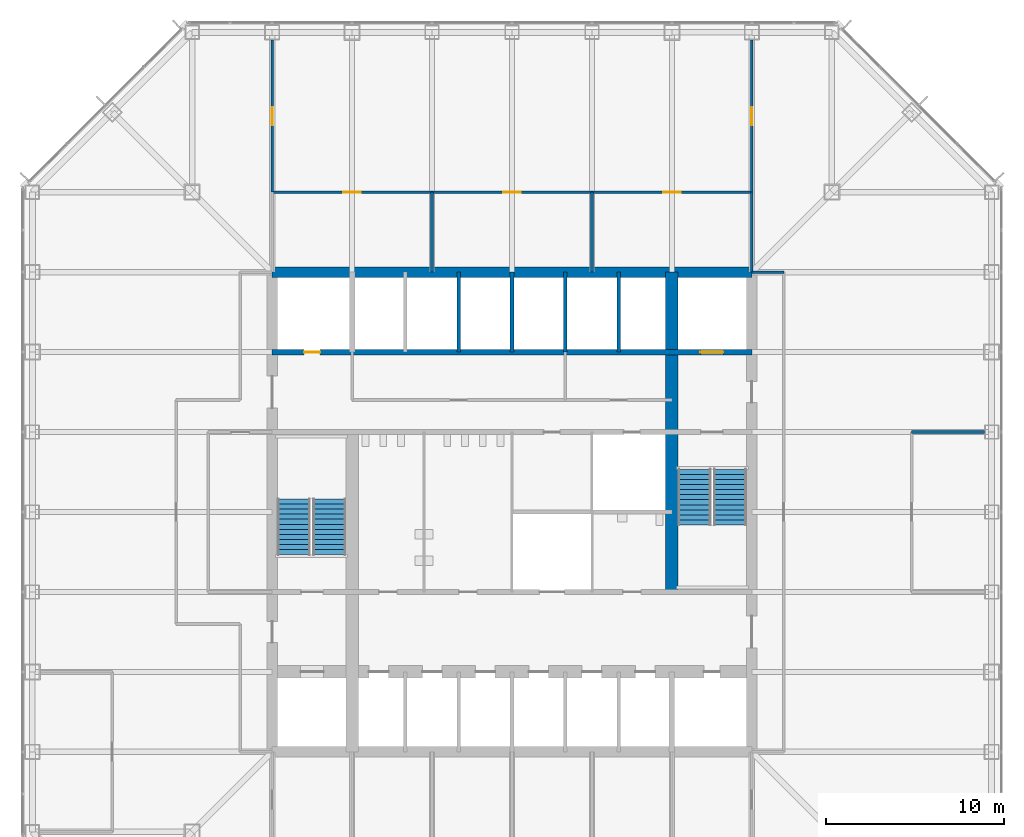
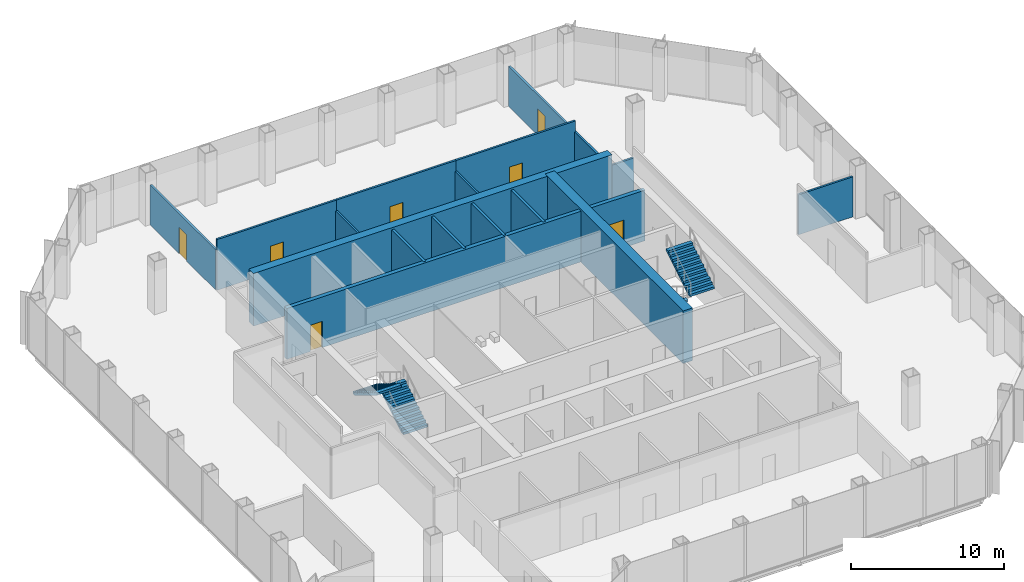
# One storey, part 10 of 12: 17 walls, 7 doors, 4 stair flights, 7 openings, 2 elements without a shape of their own.
"""IFC4 building model written with IfcOpenShell, lengths in metres."""

from ifc_helpers import new_model, si_unit, direction, frame, frame_2d, origin, place, context, subcontext, project, spatial, polyline, rectangle, outline, extrude, material, layer, layer_set, type_object, element, fill, aggregate, save


model = new_model("IFC4")

# Units and contexts
model_context = context("Model", 3, precision=1e-05, world=origin(), true_north=direction((0.0, 1.0)))
body_context = subcontext(model_context, "Body", "Model", "MODEL_VIEW")
ifc_project = project(units=[si_unit("LENGTHUNIT", "METRE"), si_unit("AREAUNIT", "SQUARE_METRE"), si_unit("VOLUMEUNIT", "CUBIC_METRE"), si_unit("PLANEANGLEUNIT", "RADIAN"), si_unit("MASSUNIT", "GRAM", prefix="KILO")], contexts=[model_context])

# Site, building, storey
site_placement = place(None, origin())
site = spatial("IfcSite", under=ifc_project, at=site_placement, CompositionType="ELEMENT")
building_placement = place(site_placement, origin())
building = spatial("IfcBuilding", under=site, at=building_placement, Name="Corais Broadcast Tower", CompositionType="ELEMENT")
storey_placement = place(building_placement, frame((0.0, 0.0, 54.199951171875)))
storey = spatial("IfcBuildingStorey", under=building, at=storey_placement, Name="L11", CompositionType="ELEMENT", Elevation=54.199951171875)

# Walls
ifc_material_1 = material(Name="Concrete C50/60", Category="concrete")
ifc_layer_1 = layer(ifc_material_1, 0.699951171875)
ifc_layer_set_1 = layer_set([ifc_layer_1], Name="Concrete C50/60")
wall_type_1 = type_object("IfcWallType", Name="Core spine wall 700", PredefinedType="SHEAR", material=ifc_layer_set_1)
wall_1_placement = place(storey_placement, frame((36.0, 22.5, 0.0), z_axis=(0.0, 0.0, 1.0), x_axis=(0.0, 1.0, 0.0)))
element("IfcWall", 1, at=wall_1_placement, inside=storey, type_object=wall_type_1, Name="CR700 core wall X36B L11", PredefinedType="SHEAR", context=body_context, shape_type="SweptSolid", body=[
    extrude(rectangle(XDim=18.0, YDim=0.699951171875, at=frame_2d((9.0, 0.0))), origin(), (0.0, 0.0, 1.0), 4.199951171875),
])
ifc_material_2 = material(Name="Concrete C50/60", Category="concrete")
ifc_layer_2 = layer(ifc_material_2, 0.60009765625)
ifc_layer_set_2 = layer_set([ifc_layer_2], Name="Concrete C50/60")
wall_type_2 = type_object("IfcWallType", Name="Core wall 600", PredefinedType="SHEAR", material=ifc_layer_set_2)
wall_2_placement = place(storey_placement, frame((40.5, 40.5, 0.0), z_axis=(0.0, 0.0, 1.0), x_axis=(-1.0, 0.0, 0.0)))
element("IfcWall", 2, at=wall_2_placement, inside=storey, type_object=wall_type_2, Name="CR600 core wall N L11", PredefinedType="SHEAR", context=body_context, shape_type="SweptSolid", body=[
    extrude(rectangle(XDim=27.0, YDim=0.60009765625, at=frame_2d((13.5, 0.0))), origin(), (0.0, 0.0, 1.0), 4.199951171875),
])

# Wall, openings, doors
ifc_material_3 = material(Name="Concrete blockwork class A, grouted, four-hour", Category="masonry")
ifc_layer_3 = layer(ifc_material_3, 0.300048828125)
ifc_layer_set_3 = layer_set([ifc_layer_3], Name="Concrete blockwork class A, grouted, four-hour")
wall_type_3 = type_object("IfcWallType", Name="Emergency lift shaft wall 300", PredefinedType="SOLIDWALL", material=ifc_layer_set_3)
wall_3_placement = place(storey_placement, frame((13.5, 36.0, 0.0), z_axis=(0.0, 0.0, 1.0), x_axis=(1.0, 0.0, 0.0)))
wall_3 = element("IfcWall", 3, at=wall_3_placement, inside=storey, type_object=wall_type_3, Name="LS1 core lobby wall Y36 L11", PredefinedType="SOLIDWALL", context=body_context, shape_type="SweptSolid", body=[
    extrude(rectangle(XDim=27.0, YDim=0.300048828125, at=frame_2d((13.5, 0.0))), origin(), (0.0, 0.0, 1.0), 4.0400390625),
])
opening_1_placement = place(wall_3_placement, frame((1.800048828125, 0.0, 0.0)))
opening_1 = element("IfcOpeningElement", 4, at=opening_1_placement, cuts=wall_3, Name="Opening RD1", PredefinedType="OPENING", context=body_context, shape_type="SweptSolid", body=[
    extrude(rectangle(XDim=0.89990234375, YDim=2.10009765625, at=frame_2d((0.449951171875, 1.050048828125))), frame((0.0, 0.159912109375, 0.0), z_axis=(0.0, -1.0, 0.0), x_axis=(1.0, 0.0, 0.0)), (0.0, 0.0, 1.0), 0.320068359375),
])
opening_2_placement = place(wall_3_placement, frame((24.10009765625, 0.0, 0.0)))
opening_2 = element("IfcOpeningElement", 5, at=opening_2_placement, cuts=wall_3, Name="Opening LD2", PredefinedType="OPENING", context=body_context, shape_type="SweptSolid", body=[
    extrude(rectangle(XDim=1.300048828125, YDim=2.199951171875, at=frame_2d((0.64990234375, 1.10009765625))), frame((0.0, 0.159912109375, 0.0), z_axis=(0.0, -1.0, 0.0), x_axis=(1.0, 0.0, 0.0)), (0.0, 0.0, 1.0), 0.320068359375),
])
ifc_material_4 = material(Name="Stainless steel lift door", Category="steel")
door_type_1 = type_object("IfcDoorType", Name="Lift landing door 1300x2200", OperationType="SLIDING_TO_LEFT", PredefinedType="DOOR", material=ifc_material_4)
door_1_placement = place(opening_2_placement, origin())
door_1 = element("IfcDoor", 6, at=door_1_placement, inside=storey, type_object=door_type_1, Name="LD2 FL2 landing door L11", OperationType="SLIDING_TO_LEFT", OverallHeight=2.199951171875, OverallWidth=1.300048828125, PredefinedType="DOOR", context=body_context, shape_type="SweptSolid", body=[
    extrude(rectangle(XDim=1.300048828125, YDim=2.199951171875, at=frame_2d((0.64990234375, 1.10009765625))), frame((0.0, 0.02490234375, 0.0), z_axis=(0.0, -1.0, 0.0), x_axis=(1.0, 0.0, 0.0)), (0.0, 0.0, 1.0), 0.050048828125),
])
fill(opening_2, door_1)
ifc_material_5 = material(Name="Steel fire door", Category="steel")
door_type_2 = type_object("IfcDoorType", Name="Riser door 900x2100", OperationType="SINGLE_SWING_LEFT", PredefinedType="DOOR", material=ifc_material_5)
door_2_placement = place(opening_1_placement, origin())
door_2 = element("IfcDoor", 7, at=door_2_placement, inside=storey, type_object=door_type_2, Name="RD1 riser door L11", OperationType="SINGLE_SWING_LEFT", OverallHeight=2.10009765625, OverallWidth=0.89990234375, PredefinedType="DOOR", context=body_context, shape_type="SweptSolid", body=[
    extrude(rectangle(XDim=0.89990234375, YDim=2.10009765625, at=frame_2d((0.449951171875, 1.050048828125))), frame((0.0, 0.02490234375, 0.0), z_axis=(0.0, -1.0, 0.0), x_axis=(1.0, 0.0, 0.0)), (0.0, 0.0, 1.0), 0.050048828125),
])
fill(opening_1, door_2)

# Walls
ifc_material_6 = material(Name="Gypsum board on steel studs", Category="steel")
ifc_layer_4 = layer(ifc_material_6, 0.14990234375)
ifc_layer_set_4 = layer_set([ifc_layer_4], Name="Gypsum board on steel studs")
wall_type_4 = type_object("IfcWallType", Name="Partition 150", PredefinedType="PARTITIONING", material=ifc_layer_set_4)
wall_4_placement = place(storey_placement, frame((42.300048828125, 40.5, 0.0), z_axis=(0.0, 0.0, 1.0), x_axis=(-1.0, 0.0, 0.0)))
element("IfcWall", 8, at=wall_4_placement, inside=storey, type_object=wall_type_4, Name="IW3 corridor wall L11", PredefinedType="PARTITIONING", context=body_context, shape_type="SweptSolid", body=[
    extrude(rectangle(XDim=1.800048828125, YDim=0.14990234375, at=frame_2d((0.89990234375, 0.0))), origin(), (0.0, 0.0, 1.0), 3.18896484375),
])
wall_5_placement = place(storey_placement, frame((22.5, 40.5, 0.0), z_axis=(0.0, 0.0, 1.0), x_axis=(0.0, 1.0, 0.0)))
element("IfcWall", 9, at=wall_5_placement, inside=storey, type_object=wall_type_4, Name="IW3 partition L11", PredefinedType="PARTITIONING", context=body_context, shape_type="SweptSolid", body=[
    extrude(rectangle(XDim=4.5, YDim=0.14990234375, at=frame_2d((2.25, 0.0))), origin(), (0.0, 0.0, 1.0), 3.18896484375),
])

# Wall, opening, door
wall_6_placement = place(storey_placement, frame((22.5, 45.0, 0.0), z_axis=(0.0, 0.0, 1.0), x_axis=(-1.0, 0.0, 0.0)))
wall_6 = element("IfcWall", 10, at=wall_6_placement, inside=storey, type_object=wall_type_4, Name="IW3 partition L11", PredefinedType="PARTITIONING", context=body_context, shape_type="SweptSolid", body=[
    extrude(rectangle(XDim=9.0, YDim=0.14990234375, at=frame_2d((4.5, 0.0))), origin(), (0.0, 0.0, 1.0), 4.0400390625),
])
opening_3_placement = place(wall_6_placement, frame((4.0, 0.0, 0.0)))
opening_3 = element("IfcOpeningElement", 11, at=opening_3_placement, cuts=wall_6, Name="Opening D1", PredefinedType="OPENING", context=body_context, shape_type="SweptSolid", body=[
    extrude(rectangle(XDim=1.0, YDim=2.10009765625, at=frame_2d((0.5, 1.050048828125))), frame((0.0, 0.0849609375, 0.0), z_axis=(0.0, -1.0, 0.0), x_axis=(1.0, 0.0, 0.0)), (0.0, 0.0, 1.0), 0.169921875),
])
ifc_material_7 = material(Name="Timber door", Category="wood")
door_type_3 = type_object("IfcDoorType", Name="Single door 1000x2100", OperationType="SINGLE_SWING_LEFT", PredefinedType="DOOR", material=ifc_material_7)
door_3_placement = place(opening_3_placement, origin())
door_3 = element("IfcDoor", 12, at=door_3_placement, inside=storey, type_object=door_type_3, Name="D1 Colour suite door", OperationType="SINGLE_SWING_LEFT", OverallHeight=2.10009765625, OverallWidth=1.0, PredefinedType="DOOR", context=body_context, shape_type="SweptSolid", body=[
    extrude(rectangle(XDim=1.0, YDim=2.10009765625, at=frame_2d((0.5, 1.050048828125))), frame((0.0, 0.02490234375, 0.0), z_axis=(0.0, -1.0, 0.0), x_axis=(1.0, 0.0, 0.0)), (0.0, 0.0, 1.0), 0.050048828125),
])
fill(opening_3, door_3)

# Wall
wall_7_placement = place(storey_placement, frame((31.5, 40.5, 0.0), z_axis=(0.0, 0.0, 1.0), x_axis=(0.0, 1.0, 0.0)))
element("IfcWall", 13, at=wall_7_placement, inside=storey, type_object=wall_type_4, Name="IW3 partition L11", PredefinedType="PARTITIONING", context=body_context, shape_type="SweptSolid", body=[
    extrude(rectangle(XDim=4.5, YDim=0.14990234375, at=frame_2d((2.25, 0.0))), origin(), (0.0, 0.0, 1.0), 3.18896484375),
])

# Wall, opening, door
wall_8_placement = place(storey_placement, frame((31.5, 45.0, 0.0), z_axis=(0.0, 0.0, 1.0), x_axis=(-1.0, 0.0, 0.0)))
wall_8 = element("IfcWall", 14, at=wall_8_placement, inside=storey, type_object=wall_type_4, Name="IW3 partition L11", PredefinedType="PARTITIONING", context=body_context, shape_type="SweptSolid", body=[
    extrude(rectangle(XDim=9.0, YDim=0.14990234375, at=frame_2d((4.5, 0.0))), origin(), (0.0, 0.0, 1.0), 4.0400390625),
])
opening_4_placement = place(wall_8_placement, frame((4.0, 0.0, 0.0)))
opening_4 = element("IfcOpeningElement", 15, at=opening_4_placement, cuts=wall_8, Name="Opening D1", PredefinedType="OPENING", context=body_context, shape_type="SweptSolid", body=[
    extrude(rectangle(XDim=1.0, YDim=2.10009765625, at=frame_2d((0.5, 1.050048828125))), frame((0.0, 0.0849609375, 0.0), z_axis=(0.0, -1.0, 0.0), x_axis=(1.0, 0.0, 0.0)), (0.0, 0.0, 1.0), 0.169921875),
])
door_4_placement = place(opening_4_placement, origin())
door_4 = element("IfcDoor", 16, at=door_4_placement, inside=storey, type_object=door_type_3, Name="D1 Colour suite door", OperationType="SINGLE_SWING_LEFT", OverallHeight=2.10009765625, OverallWidth=1.0, PredefinedType="DOOR", context=body_context, shape_type="SweptSolid", body=[
    extrude(rectangle(XDim=1.0, YDim=2.10009765625, at=frame_2d((0.5, 1.050048828125))), frame((0.0, 0.02490234375, 0.0), z_axis=(0.0, -1.0, 0.0), x_axis=(1.0, 0.0, 0.0)), (0.0, 0.0, 1.0), 0.050048828125),
])
fill(opening_4, door_4)

# Wall
wall_9_placement = place(storey_placement, frame((40.5, 40.5, 0.0), z_axis=(0.0, 0.0, 1.0), x_axis=(0.0, 1.0, 0.0)))
element("IfcWall", 17, at=wall_9_placement, inside=storey, type_object=wall_type_4, Name="IW3 partition L11", PredefinedType="PARTITIONING", context=body_context, shape_type="SweptSolid", body=[
    extrude(rectangle(XDim=4.5, YDim=0.14990234375, at=frame_2d((2.25, 0.0))), origin(), (0.0, 0.0, 1.0), 3.18896484375),
])

# Wall, opening, door
wall_10_placement = place(storey_placement, frame((40.5, 45.0, 0.0), z_axis=(0.0, 0.0, 1.0), x_axis=(-1.0, 0.0, 0.0)))
wall_10 = element("IfcWall", 18, at=wall_10_placement, inside=storey, type_object=wall_type_4, Name="IW3 partition L11", PredefinedType="PARTITIONING", context=body_context, shape_type="SweptSolid", body=[
    extrude(rectangle(XDim=9.0, YDim=0.14990234375, at=frame_2d((4.5, 0.0))), origin(), (0.0, 0.0, 1.0), 4.0400390625),
])
opening_5_placement = place(wall_10_placement, frame((4.0, 0.0, 0.0)))
opening_5 = element("IfcOpeningElement", 19, at=opening_5_placement, cuts=wall_10, Name="Opening D1", PredefinedType="OPENING", context=body_context, shape_type="SweptSolid", body=[
    extrude(rectangle(XDim=1.0, YDim=2.10009765625, at=frame_2d((0.5, 1.050048828125))), frame((0.0, 0.0849609375, 0.0), z_axis=(0.0, -1.0, 0.0), x_axis=(1.0, 0.0, 0.0)), (0.0, 0.0, 1.0), 0.169921875),
])
door_5_placement = place(opening_5_placement, origin())
door_5 = element("IfcDoor", 20, at=door_5_placement, inside=storey, type_object=door_type_3, Name="D1 Colour suite door", OperationType="SINGLE_SWING_LEFT", OverallHeight=2.10009765625, OverallWidth=1.0, PredefinedType="DOOR", context=body_context, shape_type="SweptSolid", body=[
    extrude(rectangle(XDim=1.0, YDim=2.10009765625, at=frame_2d((0.5, 1.050048828125))), frame((0.0, 0.02490234375, 0.0), z_axis=(0.0, -1.0, 0.0), x_axis=(1.0, 0.0, 0.0)), (0.0, 0.0, 1.0), 0.050048828125),
])
fill(opening_5, door_5)

# Wall
wall_11_placement = place(storey_placement, frame((53.590087890625, 31.5, 0.0), z_axis=(0.0, 0.0, 1.0), x_axis=(-1.0, 0.0, 0.0)))
element("IfcWall", 21, at=wall_11_placement, inside=storey, type_object=wall_type_4, Name="IW3 partition L11", PredefinedType="PARTITIONING", context=body_context, shape_type="SweptSolid", body=[
    extrude(rectangle(XDim=4.090087890625, YDim=0.14990234375, at=frame_2d((2.044921875, 0.0))), origin(), (0.0, 0.0, 1.0), 3.18896484375),
])

# Wall, opening, door
wall_12_placement = place(storey_placement, frame((40.5, 53.554931640625, 0.0), z_axis=(0.0, 0.0, 1.0), x_axis=(0.0, -1.0, 0.0)))
wall_12 = element("IfcWall", 22, at=wall_12_placement, inside=storey, type_object=wall_type_4, Name="IW3 partition L11", PredefinedType="PARTITIONING", context=body_context, shape_type="SweptSolid", body=[
    extrude(rectangle(XDim=8.554931640625, YDim=0.14990234375, at=frame_2d((4.27734375, 0.0))), origin(), (0.0, 0.0, 1.0), 3.18896484375),
])
opening_6_placement = place(wall_12_placement, frame((3.777587890625, 0.0, 0.0)))
opening_6 = element("IfcOpeningElement", 23, at=opening_6_placement, cuts=wall_12, Name="Opening D1", PredefinedType="OPENING", context=body_context, shape_type="SweptSolid", body=[
    extrude(rectangle(XDim=1.0, YDim=2.10009765625, at=frame_2d((0.5, 1.050048828125))), frame((0.0, 0.0849609375, 0.0), z_axis=(0.0, -1.0, 0.0), x_axis=(1.0, 0.0, 0.0)), (0.0, 0.0, 1.0), 0.169921875),
])
door_6_placement = place(opening_6_placement, origin())
door_6 = element("IfcDoor", 24, at=door_6_placement, inside=storey, type_object=door_type_3, Name="D1 team room door L11", OperationType="SINGLE_SWING_LEFT", OverallHeight=2.10009765625, OverallWidth=1.0, PredefinedType="DOOR", context=body_context, shape_type="SweptSolid", body=[
    extrude(rectangle(XDim=1.0, YDim=2.10009765625, at=frame_2d((0.5, 1.050048828125))), frame((0.0, 0.02490234375, 0.0), z_axis=(0.0, -1.0, 0.0), x_axis=(1.0, 0.0, 0.0)), (0.0, 0.0, 1.0), 0.050048828125),
])
fill(opening_6, door_6)

wall_13_placement = place(storey_placement, frame((13.5, 45.0, 0.0), z_axis=(0.0, 0.0, 1.0), x_axis=(0.0, 1.0, 0.0)))
wall_13 = element("IfcWall", 25, at=wall_13_placement, inside=storey, type_object=wall_type_4, Name="IW3 partition L11", PredefinedType="PARTITIONING", context=body_context, shape_type="SweptSolid", body=[
    extrude(rectangle(XDim=8.554931640625, YDim=0.14990234375, at=frame_2d((4.27734375, 0.0))), origin(), (0.0, 0.0, 1.0), 3.18896484375),
])
opening_7_placement = place(wall_13_placement, frame((3.777587890625, 0.0, 0.0)))
opening_7 = element("IfcOpeningElement", 26, at=opening_7_placement, cuts=wall_13, Name="Opening D1", PredefinedType="OPENING", context=body_context, shape_type="SweptSolid", body=[
    extrude(rectangle(XDim=1.0, YDim=2.10009765625, at=frame_2d((0.5, 1.050048828125))), frame((0.0, 0.0849609375, 0.0), z_axis=(0.0, -1.0, 0.0), x_axis=(1.0, 0.0, 0.0)), (0.0, 0.0, 1.0), 0.169921875),
])
door_7_placement = place(opening_7_placement, origin())
door_7 = element("IfcDoor", 27, at=door_7_placement, inside=storey, type_object=door_type_3, Name="D1 team room door L11", OperationType="SINGLE_SWING_LEFT", OverallHeight=2.10009765625, OverallWidth=1.0, PredefinedType="DOOR", context=body_context, shape_type="SweptSolid", body=[
    extrude(rectangle(XDim=1.0, YDim=2.10009765625, at=frame_2d((0.5, 1.050048828125))), frame((0.0, 0.02490234375, 0.0), z_axis=(0.0, -1.0, 0.0), x_axis=(1.0, 0.0, 0.0)), (0.0, 0.0, 1.0), 0.050048828125),
])
fill(opening_7, door_7)

# Walls
ifc_material_8 = material(Name="Concrete blockwork class A, grouted, two-hour", Category="masonry")
ifc_layer_5 = layer(ifc_material_8, 0.199951171875)
ifc_layer_set_5 = layer_set([ifc_layer_5], Name="Concrete blockwork class A, grouted, two-hour")
wall_type_5 = type_object("IfcWallType", Name="Shaft wall 200", PredefinedType="PARTITIONING", material=ifc_layer_set_5)
for number, where, z_axis, x_axis, name in (
    (28, (24.0, 36.0, 0.0), (0.0, 0.0, 1.0), (0.0, 1.0, 0.0), "IW1 shaft wall L11"),
    (29, (27.0, 36.0, 0.0), (0.0, 0.0, 1.0), (0.0, 1.0, 0.0), "IW1 shaft wall L11"),
    (30, (30.0, 36.0, 0.0), (0.0, 0.0, 1.0), (0.0, 1.0, 0.0), "IW1 shaft wall L11"),
    (31, (33.0, 36.0, 0.0), (0.0, 0.0, 1.0), (0.0, 1.0, 0.0), "IW1 shaft wall L11"),
):
    element("IfcWall", number, at=place(storey_placement, frame(where, z_axis=z_axis, x_axis=x_axis)), inside=storey, type_object=wall_type_5, Name=name, PredefinedType="PARTITIONING", context=body_context, shape_type="SweptSolid", body=[
        extrude(rectangle(XDim=4.5, YDim=0.199951171875, at=frame_2d((2.25, 0.0))), origin(), (0.0, 0.0, 1.0), 4.0400390625),
    ])

# Stair, stair flights
ifc_material_9 = material(Name="Concrete C30/37", Category="concrete")
stair_type = type_object("IfcStairType", Name="Half-turn stair 4200", PredefinedType="HALF_TURN_STAIR", material=ifc_material_9)
stair_1_placement = place(storey_placement, origin())
stair_1 = element("IfcStair", 32, at=stair_1_placement, inside=storey, type_object=stair_type, Name="Stair A L11", PredefinedType="HALF_TURN_STAIR")
ifc_material_10 = material(Name="Concrete C30/37", Category="concrete")
stair_flight_type = type_object("IfcStairFlightType", Name="Stair flight 4200", PredefinedType="STRAIGHT", material=ifc_material_10)
stair_flight_1_placement = place(storey_placement, frame((16.72509765625, 24.60009765625, 0.0), z_axis=(0.0, 0.0, 1.0), x_axis=(0.0, 1.0, 0.0)))
stair_flight_1 = element("IfcStairFlight", 33, at=stair_flight_1_placement, type_object=stair_flight_type, Name="STA flight 1", NumberOfRisers=12, NumberOfTreads=11, PredefinedType="STRAIGHT", RiserHeight=0.175, TreadLength=0.285, context=body_context, shape_type="SweptSolid", body=[
    extrude(outline(polyline([(0.0, 0.0), (0.0, 0.175048828125), (0.284912109375, 0.175048828125), (0.284912109375, 0.35009765625), (0.570068359375, 0.35009765625), (0.570068359375, 0.52490234375), (0.85498046875, 0.52490234375), (0.85498046875, 0.699951171875), (1.139892578125, 0.699951171875), (1.139892578125, 0.875), (1.425048828125, 0.875), (1.425048828125, 1.050048828125), (1.7099609375, 1.050048828125), (1.7099609375, 1.22509765625), (1.9951171875, 1.22509765625), (1.9951171875, 1.39990234375), (2.280029296875, 1.39990234375), (2.280029296875, 1.574951171875), (2.56494140625, 1.574951171875), (2.56494140625, 1.75), (2.85009765625, 1.75), (2.85009765625, 1.925048828125), (3.135009765625, 1.925048828125), (3.135009765625, 2.10009765625), (3.135009765625, 1.7490234375), (0.286376953125, 0.0), (0.0, 0.0)])), frame((0.0, 0.925048828125, 0.0), z_axis=(0.0, -1.0, 0.0), x_axis=(1.0, 0.0, 0.0)), (0.0, 0.0, 1.0), 1.85009765625),
])
stair_flight_2_placement = place(storey_placement, frame((14.72509765625, 27.735107421875, 2.10009765625), z_axis=(0.0, 0.0, 1.0), x_axis=(0.0, -1.0, 0.0)))
stair_flight_2 = element("IfcStairFlight", 34, at=stair_flight_2_placement, type_object=stair_flight_type, Name="STA flight 2", NumberOfRisers=12, NumberOfTreads=11, PredefinedType="STRAIGHT", RiserHeight=0.175, TreadLength=0.285, context=body_context, shape_type="SweptSolid", body=[
    extrude(outline(polyline([(0.0, 0.0), (0.0, 0.175048828125), (0.284912109375, 0.175048828125), (0.284912109375, 0.35009765625), (0.570068359375, 0.35009765625), (0.570068359375, 0.52490234375), (0.85498046875, 0.52490234375), (0.85498046875, 0.699951171875), (1.139892578125, 0.699951171875), (1.139892578125, 0.875), (1.425048828125, 0.875), (1.425048828125, 1.050048828125), (1.7099609375, 1.050048828125), (1.7099609375, 1.22509765625), (1.9951171875, 1.22509765625), (1.9951171875, 1.39990234375), (2.280029296875, 1.39990234375), (2.280029296875, 1.574951171875), (2.56494140625, 1.574951171875), (2.56494140625, 1.75), (2.85009765625, 1.75), (2.85009765625, 1.925048828125), (3.135009765625, 1.925048828125), (3.135009765625, 2.10009765625), (3.135009765625, 1.7490234375), (0.286376953125, 0.0), (0.0, 0.0)])), frame((0.0, 0.925048828125, 0.0), z_axis=(0.0, -1.0, 0.0), x_axis=(1.0, 0.0, 0.0)), (0.0, 0.0, 1.0), 1.85009765625),
])
aggregate(stair_1, [stair_flight_1, stair_flight_2])

stair_2_placement = place(storey_placement, origin())
stair_2 = element("IfcStair", 35, at=stair_2_placement, inside=storey, type_object=stair_type, Name="Stair B L11", PredefinedType="HALF_TURN_STAIR")
stair_flight_3_placement = place(storey_placement, frame((37.27490234375, 29.39990234375, 0.0), z_axis=(0.0, 0.0, 1.0), x_axis=(0.0, -1.0, 0.0)))
stair_flight_3 = element("IfcStairFlight", 36, at=stair_flight_3_placement, type_object=stair_flight_type, Name="STB flight 1", NumberOfRisers=12, NumberOfTreads=11, PredefinedType="STRAIGHT", RiserHeight=0.175, TreadLength=0.285, context=body_context, shape_type="SweptSolid", body=[
    extrude(outline(polyline([(0.0, 0.0), (0.0, 0.175048828125), (0.284912109375, 0.175048828125), (0.284912109375, 0.35009765625), (0.570068359375, 0.35009765625), (0.570068359375, 0.52490234375), (0.85498046875, 0.52490234375), (0.85498046875, 0.699951171875), (1.139892578125, 0.699951171875), (1.139892578125, 0.875), (1.425048828125, 0.875), (1.425048828125, 1.050048828125), (1.7099609375, 1.050048828125), (1.7099609375, 1.22509765625), (1.9951171875, 1.22509765625), (1.9951171875, 1.39990234375), (2.280029296875, 1.39990234375), (2.280029296875, 1.574951171875), (2.56494140625, 1.574951171875), (2.56494140625, 1.75), (2.85009765625, 1.75), (2.85009765625, 1.925048828125), (3.135009765625, 1.925048828125), (3.135009765625, 2.10009765625), (3.135009765625, 1.7490234375), (0.286376953125, 0.0), (0.0, 0.0)])), frame((0.0, 0.925048828125, 0.0), z_axis=(0.0, -1.0, 0.0), x_axis=(1.0, 0.0, 0.0)), (0.0, 0.0, 1.0), 1.85009765625),
])
stair_flight_4_placement = place(storey_placement, frame((39.27490234375, 26.264892578125, 2.10009765625), z_axis=(0.0, 0.0, 1.0), x_axis=(0.0, 1.0, 0.0)))
stair_flight_4 = element("IfcStairFlight", 37, at=stair_flight_4_placement, type_object=stair_flight_type, Name="STB flight 2", NumberOfRisers=12, NumberOfTreads=11, PredefinedType="STRAIGHT", RiserHeight=0.175, TreadLength=0.285, context=body_context, shape_type="SweptSolid", body=[
    extrude(outline(polyline([(0.0, 0.0), (0.0, 0.175048828125), (0.284912109375, 0.175048828125), (0.284912109375, 0.35009765625), (0.570068359375, 0.35009765625), (0.570068359375, 0.52490234375), (0.85498046875, 0.52490234375), (0.85498046875, 0.699951171875), (1.139892578125, 0.699951171875), (1.139892578125, 0.875), (1.425048828125, 0.875), (1.425048828125, 1.050048828125), (1.7099609375, 1.050048828125), (1.7099609375, 1.22509765625), (1.9951171875, 1.22509765625), (1.9951171875, 1.39990234375), (2.280029296875, 1.39990234375), (2.280029296875, 1.574951171875), (2.56494140625, 1.574951171875), (2.56494140625, 1.75), (2.85009765625, 1.75), (2.85009765625, 1.925048828125), (3.135009765625, 1.925048828125), (3.135009765625, 2.10009765625), (3.135009765625, 1.7490234375), (0.286376953125, 0.0), (0.0, 0.0)])), frame((0.0, 0.925048828125, 0.0), z_axis=(0.0, -1.0, 0.0), x_axis=(1.0, 0.0, 0.0)), (0.0, 0.0, 1.0), 1.85009765625),
])
aggregate(stair_2, [stair_flight_3, stair_flight_4])

save(model, "model.ifc")
